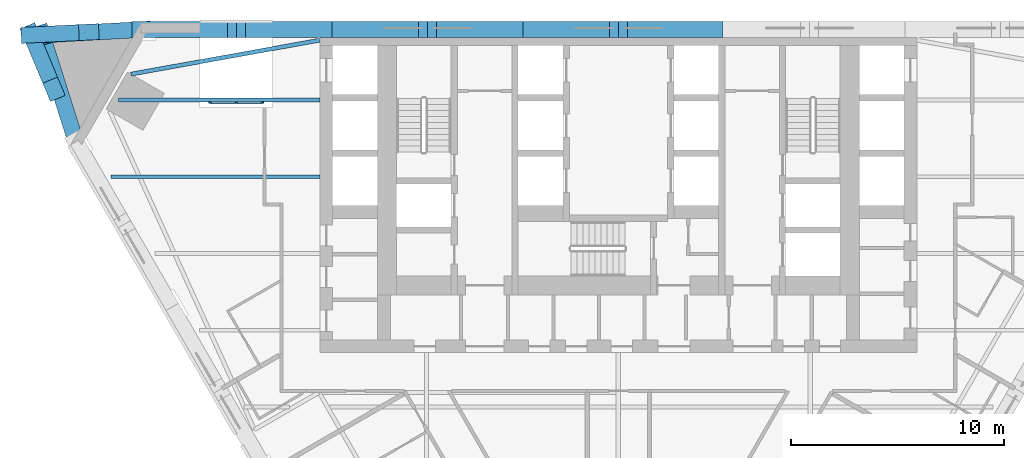
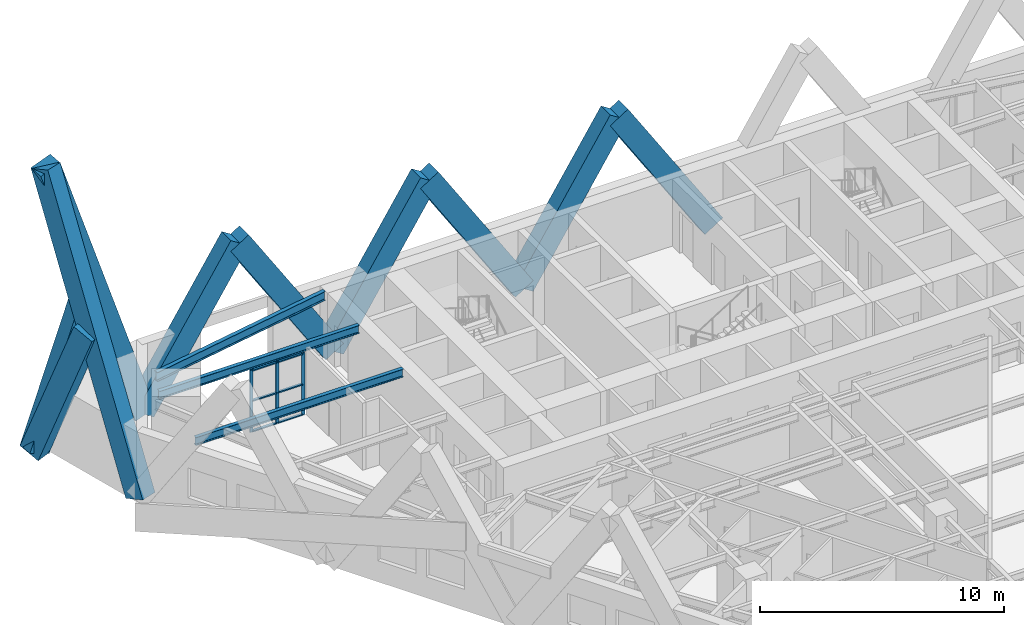
# One storey, part 2 of 11: 19 members, 3 beams, 1 element without a shape of its own.
"""IFC4 building model written with IfcOpenShell, lengths in metres."""

from ifc_helpers import new_model, si_unit, direction, frame, origin, origin_2d, place, context, subcontext, project, spatial, rectangle, i_section, extrude, material, material_profile, profile_set, type_object, element, aggregate, save


model = new_model("IFC4")

# Units and contexts
model_context = context("Model", 3, precision=1e-05, world=origin(), true_north=direction((0.0, 1.0)))
body_context = subcontext(model_context, "Body", "Model", "MODEL_VIEW")
ifc_project = project(units=[si_unit("LENGTHUNIT", "METRE"), si_unit("AREAUNIT", "SQUARE_METRE"), si_unit("VOLUMEUNIT", "CUBIC_METRE"), si_unit("PLANEANGLEUNIT", "RADIAN"), si_unit("MASSUNIT", "GRAM", prefix="KILO")], contexts=[model_context])

# Site, building, storey
site_placement = place(None, origin())
site = spatial("IfcSite", under=ifc_project, at=site_placement, CompositionType="ELEMENT")
building_placement = place(site_placement, origin())
building = spatial("IfcBuilding", under=site, at=building_placement, Name="Aloe Facet Convention Tower", CompositionType="ELEMENT")
storey_placement = place(building_placement, frame((0.0, 0.0, 49.0)))
storey = spatial("IfcBuildingStorey", under=building, at=storey_placement, Name="L10", CompositionType="ELEMENT", Elevation=49.0)

# Curtain wall, members
ifc_material_1 = material(Name="Aluminium, anodised", Category="aluminium")
curtain_wall_type = type_object("IfcCurtainWallType", Name="EV-CW-TERRACE", PredefinedType="USERDEFINED", material=ifc_material_1)
curtain_wall_placement = place(storey_placement, origin())
curtain_wall = element("IfcCurtainWall", 1, at=curtain_wall_placement, inside=storey, type_object=curtain_wall_type, Name="CW-T01", ObjectType="TERRACE BACK GLAZING", PredefinedType="USERDEFINED")
ifc_material_2 = material(Name="Aluminium, anodised", Category="aluminium")
ifc_material_profile_1 = material_profile(ifc_material_2, rectangle(XDim=0.06005859375, YDim=0.14990234375, at=origin_2d()), Name="AL 60x150")
ifc_profile_set_1 = profile_set([ifc_material_profile_1], Name="Aluminium, anodised")
member_type_1 = type_object("IfcMemberType", Name="EV-MULL-TERRACE", PredefinedType="MULLION", material=ifc_profile_set_1)
member_1_placement = place(storey_placement, frame((63.300048828125, 131.27490234375, -0.14990234375), z_axis=(0.0, 0.0, 1.0), x_axis=(0.0, -1.0, 0.0)))
member_1 = element("IfcMember", 2, at=member_1_placement, type_object=member_type_1, Name="CW-T01 mullion 1", PredefinedType="MULLION", context=body_context, shape_type="SweptSolid", body=[
    extrude(rectangle(XDim=0.06005859375, YDim=0.14990234375, at=origin_2d()), origin(), (0.0, 0.0, 1.0), 3.097412109375),
])
member_2_placement = place(storey_placement, frame((62.080078125, 131.27490234375, -0.14990234375), z_axis=(0.0, 0.0, 1.0), x_axis=(0.0, -1.0, 0.0)))
member_2 = element("IfcMember", 3, at=member_2_placement, type_object=member_type_1, Name="CW-T01 mullion 2", PredefinedType="MULLION", context=body_context, shape_type="SweptSolid", body=[
    extrude(rectangle(XDim=0.06005859375, YDim=0.14990234375, at=origin_2d()), origin(), (0.0, 0.0, 1.0), 3.097412109375),
])
member_3_placement = place(storey_placement, frame((60.860107421875, 131.27490234375, -0.14990234375), z_axis=(0.0, 0.0, 1.0), x_axis=(0.0, -1.0, 0.0)))
member_3 = element("IfcMember", 4, at=member_3_placement, type_object=member_type_1, Name="CW-T01 mullion 3", PredefinedType="MULLION", context=body_context, shape_type="SweptSolid", body=[
    extrude(rectangle(XDim=0.06005859375, YDim=0.14990234375, at=origin_2d()), origin(), (0.0, 0.0, 1.0), 3.097412109375),
])
ifc_material_3 = material(Name="Aluminium, anodised", Category="aluminium")
ifc_material_profile_2 = material_profile(ifc_material_3, rectangle(XDim=0.1201171875, YDim=0.06005859375, at=origin_2d()), Name="AL 120x60")
ifc_profile_set_2 = profile_set([ifc_material_profile_2], Name="Aluminium, anodised")
member_type_2 = type_object("IfcMemberType", Name="EV-TRAN-TERRACE", PredefinedType="USERDEFINED", material=ifc_profile_set_2)
member_4_placement = place(storey_placement, frame((63.27001953125, 131.27490234375, -0.1201171875), z_axis=(-1.0, 0.0, 0.0), x_axis=(0.0, -1.0, 0.0)))
member_4 = element("IfcMember", 5, at=member_4_placement, type_object=member_type_2, Name="CW-T01 transom 1.1", ObjectType="TRANSOM", PredefinedType="USERDEFINED", context=body_context, shape_type="SweptSolid", body=[
    extrude(rectangle(XDim=0.1201171875, YDim=0.06005859375, at=origin_2d()), origin(), (0.0, 0.0, 1.0), 1.159912109375),
])
member_5_placement = place(storey_placement, frame((63.27001953125, 131.27490234375, 1.398681640625), z_axis=(-1.0, 0.0, 0.0), x_axis=(0.0, -1.0, 0.0)))
member_5 = element("IfcMember", 6, at=member_5_placement, type_object=member_type_2, Name="CW-T01 transom 1.2", ObjectType="TRANSOM", PredefinedType="USERDEFINED", context=body_context, shape_type="SweptSolid", body=[
    extrude(rectangle(XDim=0.1201171875, YDim=0.06005859375, at=origin_2d()), origin(), (0.0, 0.0, 1.0), 1.159912109375),
])
member_6_placement = place(storey_placement, frame((63.27001953125, 131.27490234375, 2.91748046875), z_axis=(-1.0, 0.0, 0.0), x_axis=(0.0, -1.0, 0.0)))
member_6 = element("IfcMember", 7, at=member_6_placement, type_object=member_type_2, Name="CW-T01 transom 1.3", ObjectType="TRANSOM", PredefinedType="USERDEFINED", context=body_context, shape_type="SweptSolid", body=[
    extrude(rectangle(XDim=0.1201171875, YDim=0.06005859375, at=origin_2d()), origin(), (0.0, 0.0, 1.0), 1.159912109375),
])
member_7_placement = place(storey_placement, frame((62.050048828125, 131.27490234375, -0.1201171875), z_axis=(-1.0, 0.0, 0.0), x_axis=(0.0, -1.0, 0.0)))
member_7 = element("IfcMember", 8, at=member_7_placement, type_object=member_type_2, Name="CW-T01 transom 2.1", ObjectType="TRANSOM", PredefinedType="USERDEFINED", context=body_context, shape_type="SweptSolid", body=[
    extrude(rectangle(XDim=0.1201171875, YDim=0.06005859375, at=origin_2d()), origin(), (0.0, 0.0, 1.0), 1.16015625),
])
member_8_placement = place(storey_placement, frame((62.050048828125, 131.27490234375, 1.398681640625), z_axis=(-1.0, 0.0, 0.0), x_axis=(0.0, -1.0, 0.0)))
member_8 = element("IfcMember", 9, at=member_8_placement, type_object=member_type_2, Name="CW-T01 transom 2.2", ObjectType="TRANSOM", PredefinedType="USERDEFINED", context=body_context, shape_type="SweptSolid", body=[
    extrude(rectangle(XDim=0.1201171875, YDim=0.06005859375, at=origin_2d()), origin(), (0.0, 0.0, 1.0), 1.16015625),
])
member_9_placement = place(storey_placement, frame((62.050048828125, 131.27490234375, 2.91748046875), z_axis=(-1.0, 0.0, 0.0), x_axis=(0.0, -1.0, 0.0)))
member_9 = element("IfcMember", 10, at=member_9_placement, type_object=member_type_2, Name="CW-T01 transom 2.3", ObjectType="TRANSOM", PredefinedType="USERDEFINED", context=body_context, shape_type="SweptSolid", body=[
    extrude(rectangle(XDim=0.1201171875, YDim=0.06005859375, at=origin_2d()), origin(), (0.0, 0.0, 1.0), 1.16015625),
])
aggregate(curtain_wall, [member_1, member_2, member_3, member_4, member_5, member_6, member_7, member_8, member_9])

# Beams
ifc_material_4 = material(Name="Steel S355", Category="steel")
ifc_material_profile_3 = material_profile(ifc_material_4, i_section(OverallWidth=0.177734375, OverallDepth=0.402587890625, WebThickness=0.0078125, FlangeThickness=0.010986328125, FilletRadius=0.01025390625, at=origin_2d()), Name="UB 406x178x54")
ifc_profile_set_3 = profile_set([ifc_material_profile_3], Name="Steel S355")
beam_type_1 = type_object("IfcBeamType", Name="SF-B-UB406x178x54", PredefinedType="BEAM", material=ifc_profile_set_3)
beam_1_placement = place(storey_placement, frame((56.194580078125, 127.800048828125, 3.148681640625), z_axis=(1.0, 0.0, 0.0), x_axis=(0.0, 1.0, 0.0)))
element("IfcBeam", 11, at=beam_1_placement, inside=storey, type_object=beam_type_1, Name="Floor beam FB-Z1E-016", PredefinedType="BEAM", context=body_context, shape_type="SweptSolid", body=[
    extrude(i_section(OverallWidth=0.177734375, OverallDepth=0.402587890625, WebThickness=0.0078125, FlangeThickness=0.010986328125, FilletRadius=0.01025390625, at=origin_2d()), origin(), (0.0, 0.0, 1.0), 9.805419921875),
])
beam_2_placement = place(storey_placement, frame((56.55908203125, 131.39990234375, 3.148681640625), z_axis=(1.0, 0.0, 0.0), x_axis=(0.0, 1.0, 0.0)))
element("IfcBeam", 12, at=beam_2_placement, inside=storey, type_object=beam_type_1, Name="Floor beam FB-Z1E-017", PredefinedType="BEAM", context=body_context, shape_type="SweptSolid", body=[
    extrude(i_section(OverallWidth=0.177734375, OverallDepth=0.402587890625, WebThickness=0.0078125, FlangeThickness=0.010986328125, FilletRadius=0.01025390625, at=origin_2d()), origin(), (0.0, 0.0, 1.0), 9.44091796875),
])
ifc_material_5 = material(Name="Steel S355", Category="steel")
ifc_material_profile_4 = material_profile(ifc_material_5, i_section(OverallWidth=0.18994140625, OverallDepth=0.453369140625, WebThickness=0.008544921875, FlangeThickness=0.0126953125, FilletRadius=0.01025390625, at=origin_2d()), Name="UB 457x191x67")
ifc_profile_set_4 = profile_set([ifc_material_profile_4], Name="Steel S355")
beam_type_2 = type_object("IfcBeamType", Name="SF-B-UB457x191x67", PredefinedType="BEAM", material=ifc_profile_set_4)
beam_3_placement = place(storey_placement, frame((66.0, 134.205078125, 3.123291015625), z_axis=(-0.984194951593, -0.177088388265, 0.0), x_axis=(0.177088388265, -0.984194951593, 0.0)))
element("IfcBeam", 13, at=beam_3_placement, inside=storey, type_object=beam_type_2, Name="Floor beam FB-Z1E-005", PredefinedType="BEAM", context=body_context, shape_type="SweptSolid", body=[
    extrude(i_section(OverallWidth=0.18994140625, OverallDepth=0.453369140625, WebThickness=0.008544921875, FlangeThickness=0.0126953125, FilletRadius=0.01025390625, at=origin_2d()), origin(), (0.0, 0.0, 1.0), 9.00390625),
])

# Members
ifc_material_6 = material(Name="Concrete C60/75, bronze oxide finish", Category="concrete")
ifc_material_profile_5 = material_profile(ifc_material_6, rectangle(XDim=0.75, YDim=1.0, at=origin_2d()), Name="STW-LM")
ifc_profile_set_5 = profile_set([ifc_material_profile_5], Name="Concrete C60/75, bronze oxide finish")
member_type_3 = type_object("IfcMemberType", Name="STW-LM", PredefinedType="BRACE", material=ifc_profile_set_5)
for number, where, z_axis, x_axis, name in (
    (14, (84.47998046875, 134.699951171875, 0.0), (-0.539052029218, 0.0, 0.84227246767), (0.0, -1.0, 0.0), "Lattice member LM-Z1-F1-R2-05"),
    (15, (75.52001953125, 134.699951171875, 0.0), (0.539052029218, 0.0, 0.84227246767), (0.0, 1.0, 0.0), "Lattice member LM-Z1-F1-R2-06"),
    (16, (75.52001953125, 134.699951171875, 0.0), (-0.539052029218, 0.0, 0.84227246767), (0.0, -1.0, 0.0), "Lattice member LM-Z1-F1-R2-07"),
    (17, (66.56005859375, 134.699951171875, 0.0), (0.539052029218, 0.0, 0.84227246767), (0.0, 1.0, 0.0), "Lattice member LM-Z1-F1-R2-08"),
    (18, (66.56005859375, 134.699951171875, 0.0), (-0.539052029218, 0.0, 0.84227246767), (0.0, -1.0, 0.0), "Lattice member LM-Z1-F1-R2-09"),
    (19, (57.60009765625, 134.699951171875, 0.0), (0.539052029218, 0.0, 0.84227246767), (0.0, 1.0, 0.0), "Lattice member LM-Z1-F1-R2-10"),
):
    element("IfcMember", number, at=place(storey_placement, frame(where, z_axis=z_axis, x_axis=x_axis)), inside=storey, type_object=member_type_3, Name=name, PredefinedType="BRACE", context=body_context, shape_type="SweptSolid", body=[
        extrude(rectangle(XDim=0.75, YDim=1.0, at=origin_2d()), origin(), (0.0, 0.0, 1.0), 8.310791015625),
    ])
member_10_placement = place(storey_placement, frame((57.60009765625, 134.699951171875, 0.0), z_axis=(-0.313859826399, -0.017365839859, 0.949310506093), x_axis=(0.055245422909, -0.998472805462, 0.0)))
element("IfcMember", 20, at=member_10_placement, inside=storey, type_object=member_type_3, Name="Lattice member LM-Z1-F4-R2-01", PredefinedType="BRACE", context=body_context, shape_type="SweptSolid", body=[
    extrude(rectangle(XDim=0.75, YDim=1.0, at=origin_2d()), origin(), (0.0, 0.0, 1.0), 14.74755859375),
])
member_11_placement = place(storey_placement, frame((52.458251953125, 134.450439453125, 0.0), z_axis=(0.344688067841, 0.016735148497, 0.938568095927), x_axis=(-0.048494451507, 0.998823451954, 0.0)))
element("IfcMember", 21, at=member_11_placement, inside=storey, type_object=member_type_3, Name="Lattice member LM-Z1-F4-R2-02", PredefinedType="BRACE", context=body_context, shape_type="SweptSolid", body=[
    extrude(rectangle(XDim=0.75, YDim=1.0, at=origin_2d()), origin(), (0.0, 0.0, 1.0), 7.8486328125),
])
member_12_placement = place(storey_placement, frame((54.559814453125, 129.434326171875, 0.0), z_axis=(-0.106218578682, 0.334998311708, 0.936212446347), x_axis=(-0.953230964146, -0.302242831168, 0.0)))
element("IfcMember", 22, at=member_12_placement, inside=storey, type_object=member_type_3, Name="Lattice member LM-Z1-F4-R2-03", PredefinedType="BRACE", context=body_context, shape_type="SweptSolid", body=[
    extrude(rectangle(XDim=0.75, YDim=1.0, at=origin_2d()), origin(), (0.0, 0.0, 1.0), 14.953857421875),
])
member_13_placement = place(storey_placement, frame((52.458251953125, 134.450439453125, 0.0), z_axis=(0.139917380428, -0.333993235353, 0.932132847502), x_axis=(0.922336435031, 0.386387759399, 0.0)))
element("IfcMember", 23, at=member_13_placement, inside=storey, type_object=member_type_3, Name="Lattice member LM-Z1-F4-R2-04", PredefinedType="BRACE", context=body_context, shape_type="SweptSolid", body=[
    extrude(rectangle(XDim=0.75, YDim=1.0, at=origin_2d()), origin(), (0.0, 0.0, 1.0), 7.640869140625),
])

save(model, "model.ifc")
